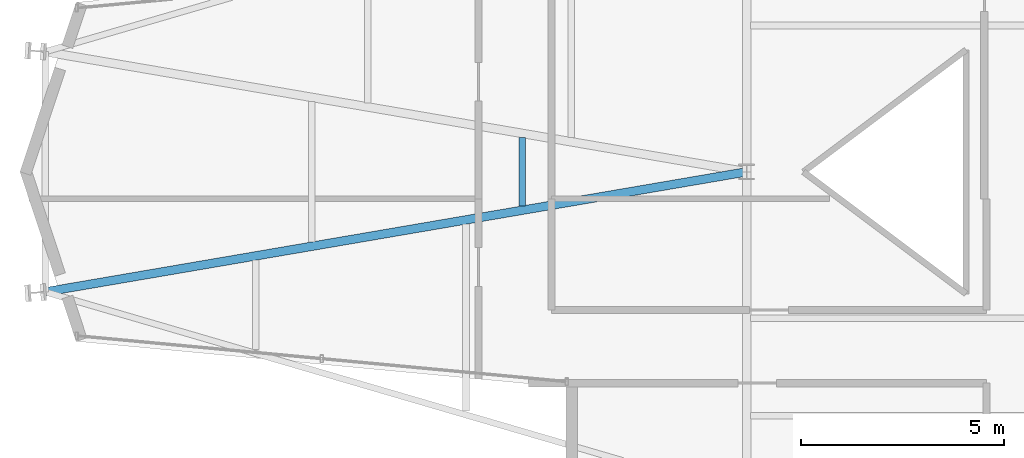
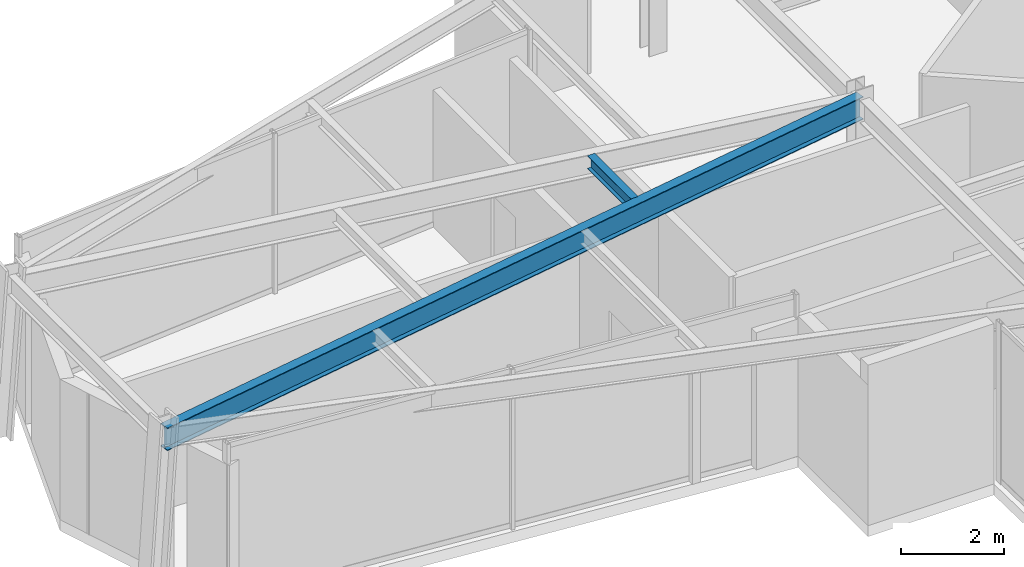
# One storey, part 6 of 23: 2 beams.
"""IFC4 building model written with IfcOpenShell, lengths in metres."""

from ifc_helpers import new_model, si_unit, direction, frame, origin, origin_2d, place, context, subcontext, project, spatial, i_section, extrude, material, material_profile, profile_set, type_object, element, save


model = new_model("IFC4")

# Units and contexts
model_context = context("Model", 3, precision=1e-05, world=origin(), true_north=direction((0.0, 1.0)))
body_context = subcontext(model_context, "Body", "Model", "MODEL_VIEW")
ifc_project = project(units=[si_unit("LENGTHUNIT", "METRE"), si_unit("AREAUNIT", "SQUARE_METRE"), si_unit("VOLUMEUNIT", "CUBIC_METRE"), si_unit("PLANEANGLEUNIT", "RADIAN"), si_unit("MASSUNIT", "GRAM", prefix="KILO")], contexts=[model_context])

# Site, building, storey
site_placement = place(None, origin())
site = spatial("IfcSite", under=ifc_project, at=site_placement, CompositionType="ELEMENT")
building_placement = place(site_placement, origin())
building = spatial("IfcBuilding", under=site, at=building_placement, Name="Veymaron Broadcast Tower", CompositionType="ELEMENT")
storey_placement = place(building_placement, frame((0.0, 0.0, 224.25)))
storey = spatial("IfcBuildingStorey", under=building, at=storey_placement, Name="L52", CompositionType="ELEMENT", Elevation=224.25)

# Beams
ifc_material = material(Name="Structural steel ASTM A992 Gr 50", Category="steel")
ifc_material_profile_1 = material_profile(ifc_material, i_section(OverallWidth=0.2099609375, OverallDepth=0.537109375, WebThickness=0.010986328125, FlangeThickness=0.017333984375, at=origin_2d()), Name="W530X101")
ifc_profile_set_1 = profile_set([ifc_material_profile_1], Name="Structural steel ASTM A992 Gr 50")
beam_type_1 = type_object("IfcBeamType", Name="BM-FG3", PredefinedType="BEAM", material=ifc_profile_set_1)
beam_1_placement = place(storey_placement, frame((13.94091796875, 21.044921875, 3.521484375), z_axis=(0.985656599332, 0.168763349671, 0.0), x_axis=(-0.168763349671, 0.985656599332, 0.0)))
element("IfcBeam", 1, at=beam_1_placement, inside=storey, type_object=beam_type_1, Name="L52 primary structural floor girder", PredefinedType="BEAM", context=body_context, shape_type="SweptSolid", body=[
    extrude(i_section(OverallWidth=0.2099609375, OverallDepth=0.537109375, WebThickness=0.010986328125, FlangeThickness=0.017333984375, at=origin_2d()), origin(), (0.0, 0.0, 1.0), 17.51025390625),
])
ifc_material_profile_2 = material_profile(ifc_material, i_section(OverallWidth=0.1650390625, OverallDepth=0.31005859375, WebThickness=0.005859375, FlangeThickness=0.009765625, at=origin_2d()), Name="W310X39")
ifc_profile_set_2 = profile_set([ifc_material_profile_2], Name="Structural steel ASTM A992 Gr 50")
beam_type_2 = type_object("IfcBeamType", Name="BM-JS3", PredefinedType="JOIST", material=ifc_profile_set_2)
beam_2_placement = place(storey_placement, frame((25.677001953125, 23.154296875, 3.635009765625), z_axis=(0.0, 1.0, 0.0), x_axis=(-1.0, 0.0, 0.0)))
element("IfcBeam", 2, at=beam_2_placement, inside=storey, type_object=beam_type_2, Name="L52 Arm-A secondary joist 2M", PredefinedType="JOIST", context=body_context, shape_type="SweptSolid", body=[
    extrude(i_section(OverallWidth=0.1650390625, OverallDepth=0.31005859375, WebThickness=0.005859375, FlangeThickness=0.009765625, at=origin_2d()), origin(), (0.0, 0.0, 1.0), 1.69140625),
])

save(model, "model.ifc")
